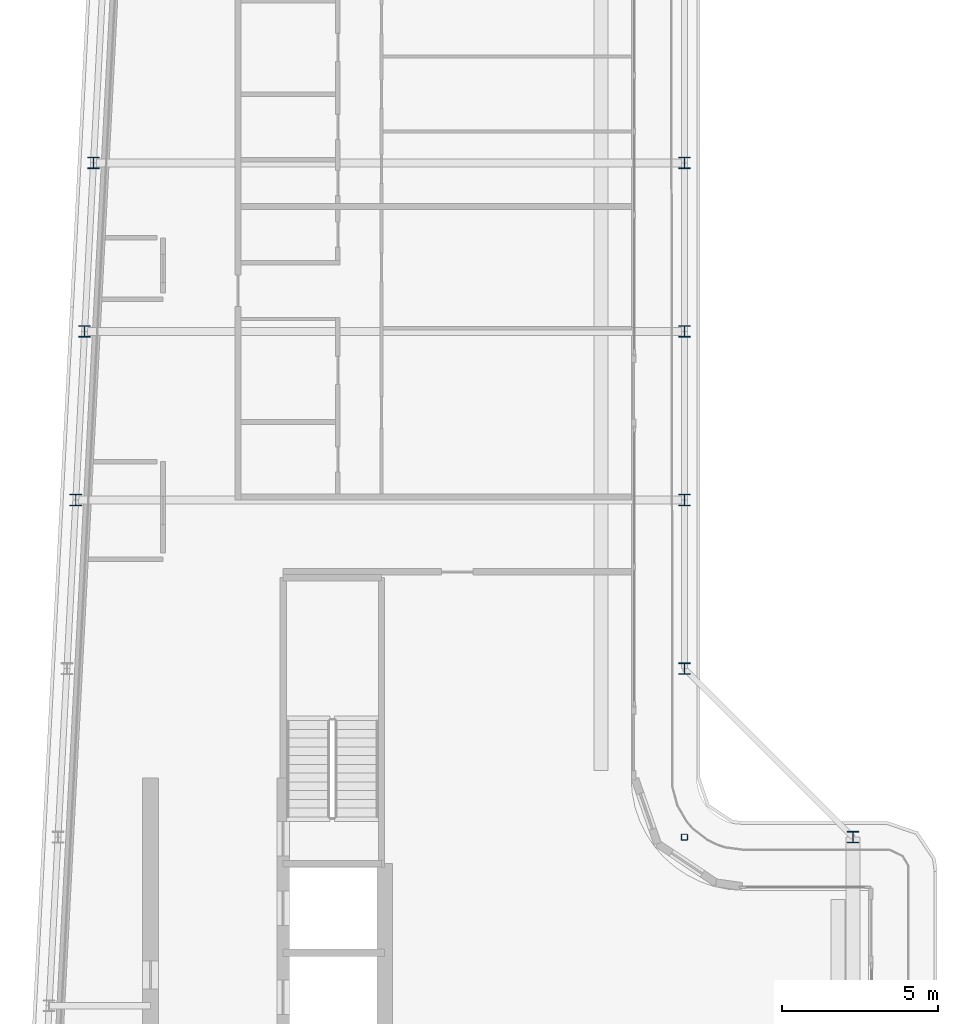
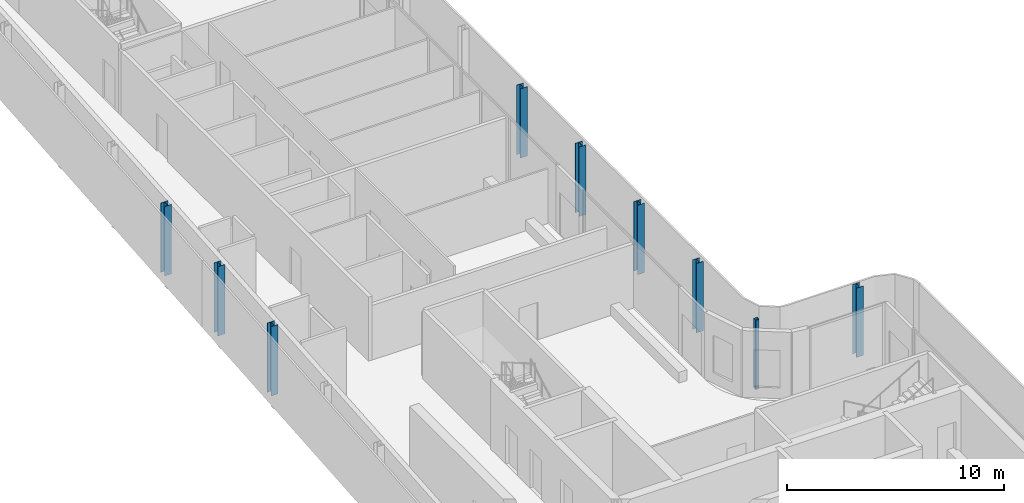
# One storey, part 2 of 19: 9 columns.
"""IFC4 building model written with IfcOpenShell, lengths in metres."""

from ifc_helpers import new_model, si_unit, direction, frame, origin, origin_2d, place, context, subcontext, project, spatial, hollow_rectangle, i_section, extrude, material, material_profile, profile_set, type_object, element, save


model = new_model("IFC4")

# Units and contexts
model_context = context("Model", 3, precision=1e-05, world=origin(), true_north=direction((0.0, 1.0)))
body_context = subcontext(model_context, "Body", "Model", "MODEL_VIEW")
ifc_project = project(units=[si_unit("LENGTHUNIT", "METRE"), si_unit("AREAUNIT", "SQUARE_METRE"), si_unit("VOLUMEUNIT", "CUBIC_METRE"), si_unit("PLANEANGLEUNIT", "RADIAN"), si_unit("MASSUNIT", "GRAM", prefix="KILO")], contexts=[model_context])

# Site, building, storey
site_placement = place(None, origin())
site = spatial("IfcSite", under=ifc_project, at=site_placement, CompositionType="ELEMENT")
building_placement = place(site_placement, origin())
building = spatial("IfcBuilding", under=site, at=building_placement, Name="Kheshtan School and Residences Tower", CompositionType="ELEMENT")
storey_placement = place(building_placement, frame((0.0, 0.0, 357.800048828125)))
storey = spatial("IfcBuildingStorey", under=building, at=storey_placement, Name="L84", CompositionType="ELEMENT", Elevation=357.800048828125)

# Columns
ifc_material_1 = material(Name="Steel ASTM A992 Grade 50", Category="steel")
ifc_material_profile_1 = material_profile(ifc_material_1, i_section(OverallWidth=0.37109375, OverallDepth=0.364013671875, WebThickness=0.01318359375, FlangeThickness=0.021728515625, FilletRadius=0.010986328125, at=origin_2d()), Name="W360x162")
ifc_profile_set_1 = profile_set([ifc_material_profile_1], Name="Steel ASTM A992 Grade 50")
column_type_1 = type_object("IfcColumnType", Name="Column C6 W360x162 ASTM A992 Grade 50", PredefinedType="COLUMN", material=ifc_profile_set_1)
for number, where, z_axis, x_axis, name in (
    (1, (53.0, 45.60009765625, 0.0), (0.0, 0.0, 1.0), (1.0, 0.0, 0.0), "Column C061"),
    (2, (47.60009765625, 51.0, 0.0), (0.0, 0.0, 1.0), (1.0, 0.0, 0.0), "Column C079"),
    (3, (28.10595703125, 56.39990234375, 0.0), (0.0, 0.0, 1.0), (1.0, 0.0, 0.0), "Column C080"),
    (4, (47.60009765625, 56.39990234375, 0.0), (0.0, 0.0, 1.0), (1.0, 0.0, 0.0), "Column C081"),
    (5, (28.389892578125, 61.800048828125, 0.0), (0.0, 0.0, 1.0), (1.0, 0.0, 0.0), "Column C082"),
    (6, (47.60009765625, 61.800048828125, 0.0), (0.0, 0.0, 1.0), (1.0, 0.0, 0.0), "Column C083"),
    (7, (28.674072265625, 67.199951171875, 0.0), (0.0, 0.0, 1.0), (1.0, 0.0, 0.0), "Column C084"),
    (8, (47.60009765625, 67.199951171875, 0.0), (0.0, 0.0, 1.0), (1.0, 0.0, 0.0), "Column C085"),
):
    element("IfcColumn", number, at=place(storey_placement, frame(where, z_axis=z_axis, x_axis=x_axis)), inside=storey, type_object=column_type_1, Name=name, PredefinedType="COLUMN", context=body_context, shape_type="SweptSolid", body=[
        extrude(i_section(OverallWidth=0.37109375, OverallDepth=0.364013671875, WebThickness=0.01318359375, FlangeThickness=0.021728515625, FilletRadius=0.010986328125, at=origin_2d()), origin(), (0.0, 0.0, 1.0), 3.89990234375),
    ])
ifc_material_2 = material(Name="Steel ASTM A500 Grade C", Category="steel")
ifc_material_profile_2 = material_profile(ifc_material_2, hollow_rectangle(XDim=0.202880859375, YDim=0.202880859375, WallThickness=0.0126953125, InnerFilletRadius=0.0126953125, OuterFilletRadius=0.025390625, at=origin_2d()), Name="HSS 203x203x12.7")
ifc_profile_set_2 = profile_set([ifc_material_profile_2], Name="Steel ASTM A500 Grade C")
column_type_2 = type_object("IfcColumnType", Name="Column IC4 HSS 203x203x12.7 ASTM A500 Grade C", PredefinedType="COLUMN", material=ifc_profile_set_2)
column_placement = place(storey_placement, frame((47.60009765625, 45.60009765625, 0.0), z_axis=(0.0, 0.0, 1.0), x_axis=(1.0, 0.0, 0.0)))
element("IfcColumn", 9, at=column_placement, inside=storey, type_object=column_type_2, Name="Column C060", PredefinedType="COLUMN", context=body_context, shape_type="SweptSolid", body=[
    extrude(hollow_rectangle(XDim=0.202880859375, YDim=0.202880859375, WallThickness=0.0126953125, InnerFilletRadius=0.0126953125, OuterFilletRadius=0.025390625, at=origin_2d()), origin(), (0.0, 0.0, 1.0), 3.89990234375),
])

save(model, "model.ifc")
